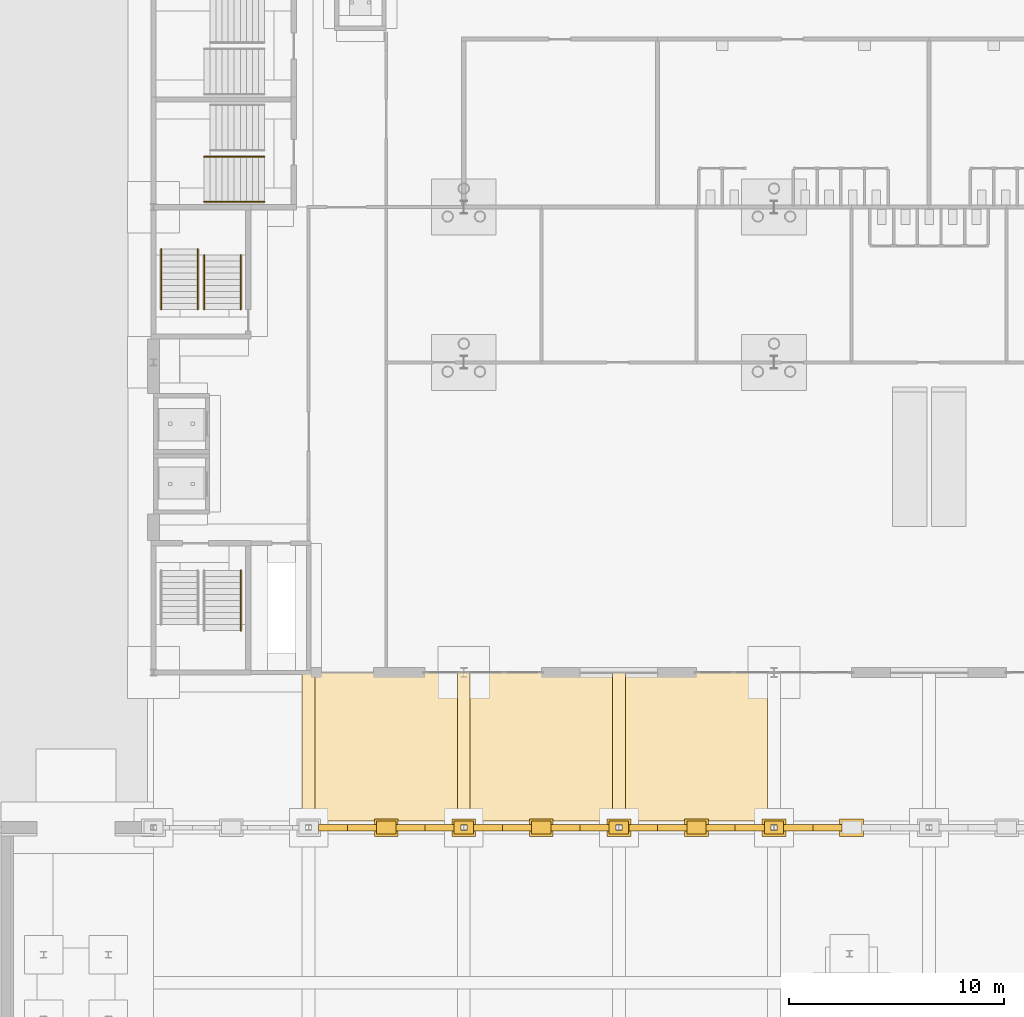
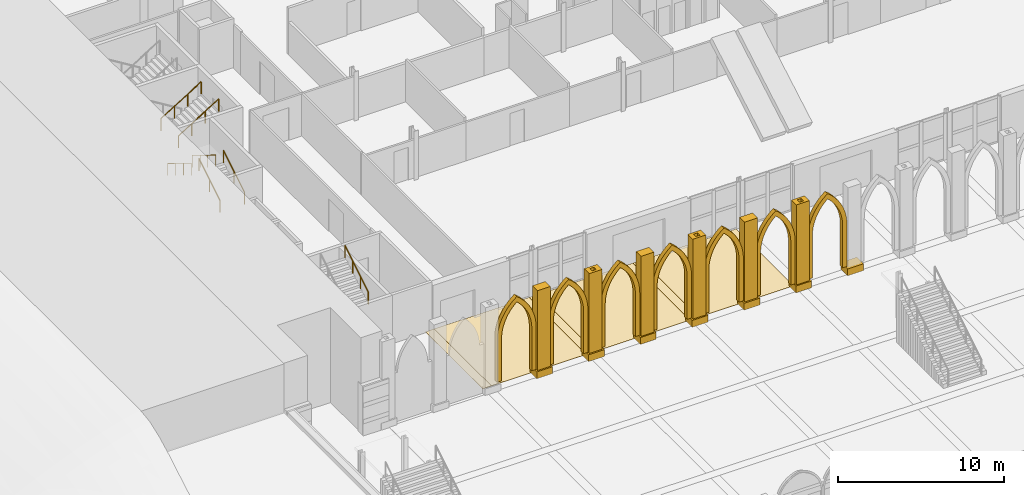
# One storey, part 118 of 148: 26 coverings, 7 railings.
"""IFC4 building model written with IfcOpenShell, lengths in metres."""

from ifc_helpers import new_model, si_unit, direction, frame, origin, origin_2d, place, context, subcontext, project, spatial, polyline, circle, outline, extrude, material, layer, layer_set, type_object, element, save


model = new_model("IFC4")

# Units and contexts
model_context = context("Model", 3, precision=1e-05, world=origin(), true_north=direction((0.0, 1.0)))
body_context = subcontext(model_context, "Body", "Model", "MODEL_VIEW")
ifc_project = project(units=[si_unit("LENGTHUNIT", "METRE"), si_unit("AREAUNIT", "SQUARE_METRE"), si_unit("VOLUMEUNIT", "CUBIC_METRE"), si_unit("PLANEANGLEUNIT", "RADIAN"), si_unit("MASSUNIT", "GRAM", prefix="KILO")], contexts=[model_context])

# Site, building, storey
site_placement = place(None, origin())
site = spatial("IfcSite", under=ifc_project, at=site_placement, CompositionType="ELEMENT")
building_placement = place(site_placement, origin())
building = spatial("IfcBuilding", under=site, at=building_placement, Name="Kupolbacken Congress Centre", CompositionType="ELEMENT")
storey_placement = place(building_placement, origin())
storey = spatial("IfcBuildingStorey", under=building, at=storey_placement, Name="L00", CompositionType="ELEMENT", Elevation=0.0)

# Coverings
ifc_material_1 = material(Name="Limestone cladding", Category="masonry")
ifc_layer_1 = layer(ifc_material_1, 0.60009765625)
ifc_layer_set_1 = layer_set([ifc_layer_1], Name="Limestone cladding")
covering_type_1 = type_object("IfcCoveringType", Name="CV5 limestone arcade pier 600", PredefinedType="CLADDING", material=ifc_layer_set_1)
covering_1_placement = place(storey_placement, origin())
element("IfcCovering", 1, at=covering_1_placement, inside=storey, type_object=covering_type_1, Name="F/arc/pier/018.0/base", PredefinedType="CLADDING", context=body_context, shape_type="SweptSolid", body=[
    extrude(outline(polyline([(17.449951171875, 21.199951171875), (18.550048828125, 21.199951171875), (18.550048828125, 22.0), (17.449951171875, 22.0), (17.449951171875, 21.199951171875)])), origin(), (0.0, 0.0, 1.0), 0.5),
])
covering_2_placement = place(storey_placement, frame((0.0, 0.0, 0.5)))
element("IfcCovering", 2, at=covering_2_placement, inside=storey, type_object=covering_type_1, Name="F/arc/pier/018.0/shaft", PredefinedType="CLADDING", context=body_context, shape_type="SweptSolid", body=[
    extrude(outline(polyline([(17.550048828125, 21.300048828125), (18.449951171875, 21.300048828125), (18.449951171875, 21.89990234375), (17.550048828125, 21.89990234375), (17.550048828125, 21.300048828125)])), origin(), (0.0, 0.0, 1.0), 5.8701171875),
])
covering_3_placement = place(storey_placement, origin())
element("IfcCovering", 3, at=covering_3_placement, inside=storey, type_object=covering_type_1, Name="F/arc/pier/021.6/base", PredefinedType="CLADDING", context=body_context, shape_type="SweptSolid", body=[
    extrude(outline(polyline([(21.050048828125, 21.199951171875), (22.14990234375, 21.199951171875), (22.14990234375, 22.0), (21.050048828125, 22.0), (21.050048828125, 21.199951171875)]), holes=[polyline([(21.4599609375, 21.4599609375), (21.739990234375, 21.4599609375), (21.739990234375, 21.739990234375), (21.4599609375, 21.739990234375), (21.4599609375, 21.4599609375)])]), origin(), (0.0, 0.0, 1.0), 0.5),
])
covering_4_placement = place(storey_placement, frame((0.0, 0.0, 0.5)))
element("IfcCovering", 4, at=covering_4_placement, inside=storey, type_object=covering_type_1, Name="F/arc/pier/021.6/shaft", PredefinedType="CLADDING", context=body_context, shape_type="SweptSolid", body=[
    extrude(outline(polyline([(21.14990234375, 21.300048828125), (22.050048828125, 21.300048828125), (22.050048828125, 21.89990234375), (21.14990234375, 21.89990234375), (21.14990234375, 21.300048828125)]), holes=[polyline([(21.4599609375, 21.4599609375), (21.739990234375, 21.4599609375), (21.739990234375, 21.739990234375), (21.4599609375, 21.739990234375), (21.4599609375, 21.4599609375)])]), origin(), (0.0, 0.0, 1.0), 5.8701171875),
])
covering_5_placement = place(storey_placement, origin())
element("IfcCovering", 5, at=covering_5_placement, inside=storey, type_object=covering_type_1, Name="F/arc/pier/025.2/base", PredefinedType="CLADDING", context=body_context, shape_type="SweptSolid", body=[
    extrude(outline(polyline([(24.64990234375, 21.199951171875), (25.75, 21.199951171875), (25.75, 22.0), (24.64990234375, 22.0), (24.64990234375, 21.199951171875)])), origin(), (0.0, 0.0, 1.0), 0.5),
])
covering_6_placement = place(storey_placement, frame((0.0, 0.0, 0.5)))
element("IfcCovering", 6, at=covering_6_placement, inside=storey, type_object=covering_type_1, Name="F/arc/pier/025.2/shaft", PredefinedType="CLADDING", context=body_context, shape_type="SweptSolid", body=[
    extrude(outline(polyline([(24.75, 21.300048828125), (25.64990234375, 21.300048828125), (25.64990234375, 21.89990234375), (24.75, 21.89990234375), (24.75, 21.300048828125)])), origin(), (0.0, 0.0, 1.0), 5.8701171875),
])
covering_7_placement = place(storey_placement, origin())
element("IfcCovering", 7, at=covering_7_placement, inside=storey, type_object=covering_type_1, Name="F/arc/pier/028.8/base", PredefinedType="CLADDING", context=body_context, shape_type="SweptSolid", body=[
    extrude(outline(polyline([(28.25, 21.199951171875), (29.35009765625, 21.199951171875), (29.35009765625, 22.0), (28.25, 22.0), (28.25, 21.199951171875)]), holes=[polyline([(28.659912109375, 21.4599609375), (28.93994140625, 21.4599609375), (28.93994140625, 21.739990234375), (28.659912109375, 21.739990234375), (28.659912109375, 21.4599609375)])]), origin(), (0.0, 0.0, 1.0), 0.5),
])
covering_8_placement = place(storey_placement, frame((0.0, 0.0, 0.5)))
element("IfcCovering", 8, at=covering_8_placement, inside=storey, type_object=covering_type_1, Name="F/arc/pier/028.8/shaft", PredefinedType="CLADDING", context=body_context, shape_type="SweptSolid", body=[
    extrude(outline(polyline([(28.35009765625, 21.300048828125), (29.25, 21.300048828125), (29.25, 21.89990234375), (28.35009765625, 21.89990234375), (28.35009765625, 21.300048828125)]), holes=[polyline([(28.659912109375, 21.4599609375), (28.93994140625, 21.4599609375), (28.93994140625, 21.739990234375), (28.659912109375, 21.739990234375), (28.659912109375, 21.4599609375)])]), origin(), (0.0, 0.0, 1.0), 5.8701171875),
])
covering_9_placement = place(storey_placement, origin())
element("IfcCovering", 9, at=covering_9_placement, inside=storey, type_object=covering_type_1, Name="F/arc/pier/032.4/base", PredefinedType="CLADDING", context=body_context, shape_type="SweptSolid", body=[
    extrude(outline(polyline([(31.85009765625, 21.199951171875), (32.949951171875, 21.199951171875), (32.949951171875, 22.0), (31.85009765625, 22.0), (31.85009765625, 21.199951171875)])), origin(), (0.0, 0.0, 1.0), 0.5),
])
covering_10_placement = place(storey_placement, frame((0.0, 0.0, 0.5)))
element("IfcCovering", 10, at=covering_10_placement, inside=storey, type_object=covering_type_1, Name="F/arc/pier/032.4/shaft", PredefinedType="CLADDING", context=body_context, shape_type="SweptSolid", body=[
    extrude(outline(polyline([(31.949951171875, 21.300048828125), (32.85009765625, 21.300048828125), (32.85009765625, 21.89990234375), (31.949951171875, 21.89990234375), (31.949951171875, 21.300048828125)])), origin(), (0.0, 0.0, 1.0), 5.8701171875),
])
covering_11_placement = place(storey_placement, origin())
element("IfcCovering", 11, at=covering_11_placement, inside=storey, type_object=covering_type_1, Name="F/arc/pier/036.0/base", PredefinedType="CLADDING", context=body_context, shape_type="SweptSolid", body=[
    extrude(outline(polyline([(35.449951171875, 21.199951171875), (36.550048828125, 21.199951171875), (36.550048828125, 22.0), (35.449951171875, 22.0), (35.449951171875, 21.199951171875)]), holes=[polyline([(35.860107421875, 21.4599609375), (36.139892578125, 21.4599609375), (36.139892578125, 21.739990234375), (35.860107421875, 21.739990234375), (35.860107421875, 21.4599609375)])]), origin(), (0.0, 0.0, 1.0), 0.5),
])
covering_12_placement = place(storey_placement, frame((0.0, 0.0, 0.5)))
element("IfcCovering", 12, at=covering_12_placement, inside=storey, type_object=covering_type_1, Name="F/arc/pier/036.0/shaft", PredefinedType="CLADDING", context=body_context, shape_type="SweptSolid", body=[
    extrude(outline(polyline([(35.550048828125, 21.300048828125), (36.449951171875, 21.300048828125), (36.449951171875, 21.89990234375), (35.550048828125, 21.89990234375), (35.550048828125, 21.300048828125)]), holes=[polyline([(35.860107421875, 21.4599609375), (36.139892578125, 21.4599609375), (36.139892578125, 21.739990234375), (35.860107421875, 21.739990234375), (35.860107421875, 21.4599609375)])]), origin(), (0.0, 0.0, 1.0), 5.8701171875),
])
covering_13_placement = place(storey_placement, origin())
element("IfcCovering", 13, at=covering_13_placement, inside=storey, type_object=covering_type_1, Name="F/arc/pier/039.6/base", PredefinedType="CLADDING", context=body_context, shape_type="SweptSolid", body=[
    extrude(outline(polyline([(39.050048828125, 21.199951171875), (40.14990234375, 21.199951171875), (40.14990234375, 22.0), (39.050048828125, 22.0), (39.050048828125, 21.199951171875)])), origin(), (0.0, 0.0, 1.0), 0.5),
])
ifc_material_2 = material(Name="Limestone cladding", Category="masonry")
ifc_layer_2 = layer(ifc_material_2, 0.300048828125)
ifc_layer_set_2 = layer_set([ifc_layer_2], Name="Limestone cladding")
covering_type_2 = type_object("IfcCoveringType", Name="CV6 limestone arcade arch frame 300", PredefinedType="CLADDING", material=ifc_layer_set_2)
covering_14_placement = place(storey_placement, frame((14.85009765625, 21.449951171875, 0.5), z_axis=(0.0, 1.0, 0.0), x_axis=(-1.0, 0.0, 0.0)))
element("IfcCovering", 14, at=covering_14_placement, inside=storey, type_object=covering_type_2, Name="F/arc/arch/014.4", PredefinedType="CLADDING", context=body_context, shape_type="SweptSolid", body=[
    extrude(outline(polyline([(0.0, 0.0), (0.0, 3.1201171875), (-0.00732421875, 3.343505859375), (-0.029541015625, 3.56591796875), (-0.06640625, 3.7861328125), (-0.117919921875, 4.00390625), (-0.183349609375, 4.21728515625), (-0.262939453125, 4.42626953125), (-0.356201171875, 4.62939453125), (-0.462890625, 4.82568359375), (-0.58203125, 5.014892578125), (-0.713623046875, 5.195556640625), (-0.85693359375, 5.3671875), (-1.010986328125, 5.52880859375), (-1.17578125, 5.68017578125), (-1.35009765625, 5.820068359375), (-1.5244140625, 5.68017578125), (-1.68896484375, 5.52880859375), (-1.843017578125, 5.3671875), (-1.986328125, 5.195556640625), (-2.117919921875, 5.014892578125), (-2.2373046875, 4.82568359375), (-2.34375, 4.62939453125), (-2.43701171875, 4.42626953125), (-2.5166015625, 4.21728515625), (-2.582275390625, 4.00390625), (-2.633544921875, 3.7861328125), (-2.67041015625, 3.56591796875), (-2.692626953125, 3.343505859375), (-2.699951171875, 3.1201171875), (-2.699951171875, 0.0), (-2.39990234375, 0.0), (-2.39990234375, 3.1201171875), (-2.394287109375, 3.306884765625), (-2.377197265625, 3.493408203125), (-2.348876953125, 3.67822265625), (-2.309326171875, 3.861083984375), (-2.2587890625, 4.041259765625), (-2.197265625, 4.218017578125), (-2.125244140625, 4.390625), (-2.042724609375, 4.55859375), (-1.9501953125, 4.72119140625), (-1.847900390625, 4.877685546875), (-1.736572265625, 5.028076171875), (-1.615966796875, 5.171142578125), (-1.487060546875, 5.306640625), (-1.35009765625, 5.43408203125), (-1.212890625, 5.306640625), (-1.083984375, 5.171142578125), (-0.96337890625, 5.028076171875), (-0.85205078125, 4.877685546875), (-0.749755859375, 4.72119140625), (-0.6572265625, 4.55859375), (-0.57470703125, 4.390625), (-0.502685546875, 4.218017578125), (-0.441162109375, 4.041259765625), (-0.390625, 3.861083984375), (-0.35107421875, 3.67822265625), (-0.32275390625, 3.493408203125), (-0.3056640625, 3.306884765625), (-0.300048828125, 3.1201171875), (-0.300048828125, 0.0), (0.0, 0.0)])), origin(), (0.0, 0.0, 1.0), 0.300048828125),
])
covering_15_placement = place(storey_placement, frame((18.449951171875, 21.449951171875, 0.5), z_axis=(0.0, 1.0, 0.0), x_axis=(-1.0, 0.0, 0.0)))
element("IfcCovering", 15, at=covering_15_placement, inside=storey, type_object=covering_type_2, Name="F/arc/arch/018.0", PredefinedType="CLADDING", context=body_context, shape_type="SweptSolid", body=[
    extrude(outline(polyline([(0.0, 0.0), (0.0, 3.1201171875), (-0.00732421875, 3.343505859375), (-0.029541015625, 3.56591796875), (-0.06640625, 3.7861328125), (-0.117919921875, 4.00390625), (-0.183349609375, 4.21728515625), (-0.262939453125, 4.42626953125), (-0.356201171875, 4.62939453125), (-0.462890625, 4.82568359375), (-0.58203125, 5.014892578125), (-0.713623046875, 5.195556640625), (-0.85693359375, 5.3671875), (-1.010986328125, 5.52880859375), (-1.17578125, 5.68017578125), (-1.35009765625, 5.820068359375), (-1.5244140625, 5.68017578125), (-1.68896484375, 5.52880859375), (-1.843017578125, 5.3671875), (-1.986328125, 5.195556640625), (-2.117919921875, 5.014892578125), (-2.2373046875, 4.82568359375), (-2.34375, 4.62939453125), (-2.43701171875, 4.42626953125), (-2.5166015625, 4.21728515625), (-2.582275390625, 4.00390625), (-2.633544921875, 3.7861328125), (-2.67041015625, 3.56591796875), (-2.692626953125, 3.343505859375), (-2.699951171875, 3.1201171875), (-2.699951171875, 0.0), (-2.39990234375, 0.0), (-2.39990234375, 3.1201171875), (-2.394287109375, 3.306884765625), (-2.377197265625, 3.493408203125), (-2.348876953125, 3.67822265625), (-2.309326171875, 3.861083984375), (-2.2587890625, 4.041259765625), (-2.197265625, 4.218017578125), (-2.125244140625, 4.390625), (-2.042724609375, 4.55859375), (-1.9501953125, 4.72119140625), (-1.847900390625, 4.877685546875), (-1.736572265625, 5.028076171875), (-1.615966796875, 5.171142578125), (-1.487060546875, 5.306640625), (-1.35009765625, 5.43408203125), (-1.212890625, 5.306640625), (-1.083984375, 5.171142578125), (-0.96337890625, 5.028076171875), (-0.85205078125, 4.877685546875), (-0.749755859375, 4.72119140625), (-0.6572265625, 4.55859375), (-0.57470703125, 4.390625), (-0.502685546875, 4.218017578125), (-0.441162109375, 4.041259765625), (-0.390625, 3.861083984375), (-0.35107421875, 3.67822265625), (-0.32275390625, 3.493408203125), (-0.3056640625, 3.306884765625), (-0.300048828125, 3.1201171875), (-0.300048828125, 0.0), (0.0, 0.0)])), origin(), (0.0, 0.0, 1.0), 0.300048828125),
])
covering_16_placement = place(storey_placement, frame((22.050048828125, 21.449951171875, 0.5), z_axis=(0.0, 1.0, 0.0), x_axis=(-1.0, 0.0, 0.0)))
element("IfcCovering", 16, at=covering_16_placement, inside=storey, type_object=covering_type_2, Name="F/arc/arch/021.6", PredefinedType="CLADDING", context=body_context, shape_type="SweptSolid", body=[
    extrude(outline(polyline([(0.0, 0.0), (0.0, 3.1201171875), (-0.00732421875, 3.343505859375), (-0.029541015625, 3.56591796875), (-0.06640625, 3.7861328125), (-0.117919921875, 4.00390625), (-0.183349609375, 4.21728515625), (-0.262939453125, 4.42626953125), (-0.356201171875, 4.62939453125), (-0.462890625, 4.82568359375), (-0.58203125, 5.014892578125), (-0.713623046875, 5.195556640625), (-0.85693359375, 5.3671875), (-1.010986328125, 5.52880859375), (-1.17578125, 5.68017578125), (-1.35009765625, 5.820068359375), (-1.5244140625, 5.68017578125), (-1.68896484375, 5.52880859375), (-1.843017578125, 5.3671875), (-1.986328125, 5.195556640625), (-2.117919921875, 5.014892578125), (-2.2373046875, 4.82568359375), (-2.34375, 4.62939453125), (-2.43701171875, 4.42626953125), (-2.5166015625, 4.21728515625), (-2.582275390625, 4.00390625), (-2.633544921875, 3.7861328125), (-2.67041015625, 3.56591796875), (-2.692626953125, 3.343505859375), (-2.699951171875, 3.1201171875), (-2.699951171875, 0.0), (-2.39990234375, 0.0), (-2.39990234375, 3.1201171875), (-2.394287109375, 3.306884765625), (-2.377197265625, 3.493408203125), (-2.348876953125, 3.67822265625), (-2.309326171875, 3.861083984375), (-2.2587890625, 4.041259765625), (-2.197265625, 4.218017578125), (-2.125244140625, 4.390625), (-2.042724609375, 4.55859375), (-1.9501953125, 4.72119140625), (-1.847900390625, 4.877685546875), (-1.736572265625, 5.028076171875), (-1.615966796875, 5.171142578125), (-1.487060546875, 5.306640625), (-1.35009765625, 5.43408203125), (-1.212890625, 5.306640625), (-1.083984375, 5.171142578125), (-0.96337890625, 5.028076171875), (-0.85205078125, 4.877685546875), (-0.749755859375, 4.72119140625), (-0.6572265625, 4.55859375), (-0.57470703125, 4.390625), (-0.502685546875, 4.218017578125), (-0.441162109375, 4.041259765625), (-0.390625, 3.861083984375), (-0.35107421875, 3.67822265625), (-0.32275390625, 3.493408203125), (-0.3056640625, 3.306884765625), (-0.300048828125, 3.1201171875), (-0.300048828125, 0.0), (0.0, 0.0)])), origin(), (0.0, 0.0, 1.0), 0.300048828125),
])
covering_17_placement = place(storey_placement, frame((25.64990234375, 21.449951171875, 0.5), z_axis=(0.0, 1.0, 0.0), x_axis=(-1.0, 0.0, 0.0)))
element("IfcCovering", 17, at=covering_17_placement, inside=storey, type_object=covering_type_2, Name="F/arc/arch/025.2", PredefinedType="CLADDING", context=body_context, shape_type="SweptSolid", body=[
    extrude(outline(polyline([(0.0, 0.0), (0.0, 3.1201171875), (-0.00732421875, 3.343505859375), (-0.029541015625, 3.56591796875), (-0.06640625, 3.7861328125), (-0.117919921875, 4.00390625), (-0.183349609375, 4.21728515625), (-0.262939453125, 4.42626953125), (-0.356201171875, 4.62939453125), (-0.462890625, 4.82568359375), (-0.58203125, 5.014892578125), (-0.713623046875, 5.195556640625), (-0.85693359375, 5.3671875), (-1.010986328125, 5.52880859375), (-1.17578125, 5.68017578125), (-1.35009765625, 5.820068359375), (-1.5244140625, 5.68017578125), (-1.68896484375, 5.52880859375), (-1.843017578125, 5.3671875), (-1.986328125, 5.195556640625), (-2.117919921875, 5.014892578125), (-2.2373046875, 4.82568359375), (-2.34375, 4.62939453125), (-2.43701171875, 4.42626953125), (-2.5166015625, 4.21728515625), (-2.582275390625, 4.00390625), (-2.633544921875, 3.7861328125), (-2.67041015625, 3.56591796875), (-2.692626953125, 3.343505859375), (-2.699951171875, 3.1201171875), (-2.699951171875, 0.0), (-2.39990234375, 0.0), (-2.39990234375, 3.1201171875), (-2.394287109375, 3.306884765625), (-2.377197265625, 3.493408203125), (-2.348876953125, 3.67822265625), (-2.309326171875, 3.861083984375), (-2.2587890625, 4.041259765625), (-2.197265625, 4.218017578125), (-2.125244140625, 4.390625), (-2.042724609375, 4.55859375), (-1.9501953125, 4.72119140625), (-1.847900390625, 4.877685546875), (-1.736572265625, 5.028076171875), (-1.615966796875, 5.171142578125), (-1.487060546875, 5.306640625), (-1.35009765625, 5.43408203125), (-1.212890625, 5.306640625), (-1.083984375, 5.171142578125), (-0.96337890625, 5.028076171875), (-0.85205078125, 4.877685546875), (-0.749755859375, 4.72119140625), (-0.6572265625, 4.55859375), (-0.57470703125, 4.390625), (-0.502685546875, 4.218017578125), (-0.441162109375, 4.041259765625), (-0.390625, 3.861083984375), (-0.35107421875, 3.67822265625), (-0.32275390625, 3.493408203125), (-0.3056640625, 3.306884765625), (-0.300048828125, 3.1201171875), (-0.300048828125, 0.0), (0.0, 0.0)])), origin(), (0.0, 0.0, 1.0), 0.300048828125),
])
covering_18_placement = place(storey_placement, frame((29.25, 21.449951171875, 0.5), z_axis=(0.0, 1.0, 0.0), x_axis=(-1.0, 0.0, 0.0)))
element("IfcCovering", 18, at=covering_18_placement, inside=storey, type_object=covering_type_2, Name="F/arc/arch/028.8", PredefinedType="CLADDING", context=body_context, shape_type="SweptSolid", body=[
    extrude(outline(polyline([(0.0, 0.0), (0.0, 3.1201171875), (-0.00732421875, 3.343505859375), (-0.029541015625, 3.56591796875), (-0.06640625, 3.7861328125), (-0.117919921875, 4.00390625), (-0.183349609375, 4.21728515625), (-0.262939453125, 4.42626953125), (-0.356201171875, 4.62939453125), (-0.462890625, 4.82568359375), (-0.58203125, 5.014892578125), (-0.713623046875, 5.195556640625), (-0.85693359375, 5.3671875), (-1.010986328125, 5.52880859375), (-1.17578125, 5.68017578125), (-1.35009765625, 5.820068359375), (-1.5244140625, 5.68017578125), (-1.68896484375, 5.52880859375), (-1.843017578125, 5.3671875), (-1.986328125, 5.195556640625), (-2.117919921875, 5.014892578125), (-2.2373046875, 4.82568359375), (-2.34375, 4.62939453125), (-2.43701171875, 4.42626953125), (-2.5166015625, 4.21728515625), (-2.582275390625, 4.00390625), (-2.633544921875, 3.7861328125), (-2.67041015625, 3.56591796875), (-2.692626953125, 3.343505859375), (-2.699951171875, 3.1201171875), (-2.699951171875, 0.0), (-2.39990234375, 0.0), (-2.39990234375, 3.1201171875), (-2.394287109375, 3.306884765625), (-2.377197265625, 3.493408203125), (-2.348876953125, 3.67822265625), (-2.309326171875, 3.861083984375), (-2.2587890625, 4.041259765625), (-2.197265625, 4.218017578125), (-2.125244140625, 4.390625), (-2.042724609375, 4.55859375), (-1.9501953125, 4.72119140625), (-1.847900390625, 4.877685546875), (-1.736572265625, 5.028076171875), (-1.615966796875, 5.171142578125), (-1.487060546875, 5.306640625), (-1.35009765625, 5.43408203125), (-1.212890625, 5.306640625), (-1.083984375, 5.171142578125), (-0.96337890625, 5.028076171875), (-0.85205078125, 4.877685546875), (-0.749755859375, 4.72119140625), (-0.6572265625, 4.55859375), (-0.57470703125, 4.390625), (-0.502685546875, 4.218017578125), (-0.441162109375, 4.041259765625), (-0.390625, 3.861083984375), (-0.35107421875, 3.67822265625), (-0.32275390625, 3.493408203125), (-0.3056640625, 3.306884765625), (-0.300048828125, 3.1201171875), (-0.300048828125, 0.0), (0.0, 0.0)])), origin(), (0.0, 0.0, 1.0), 0.300048828125),
])
covering_19_placement = place(storey_placement, frame((32.85009765625, 21.449951171875, 0.5), z_axis=(0.0, 1.0, 0.0), x_axis=(-1.0, 0.0, 0.0)))
element("IfcCovering", 19, at=covering_19_placement, inside=storey, type_object=covering_type_2, Name="F/arc/arch/032.4", PredefinedType="CLADDING", context=body_context, shape_type="SweptSolid", body=[
    extrude(outline(polyline([(0.0, 0.0), (0.0, 3.1201171875), (-0.00732421875, 3.343505859375), (-0.029541015625, 3.56591796875), (-0.06640625, 3.7861328125), (-0.117919921875, 4.00390625), (-0.183349609375, 4.21728515625), (-0.262939453125, 4.42626953125), (-0.356201171875, 4.62939453125), (-0.462890625, 4.82568359375), (-0.58203125, 5.014892578125), (-0.713623046875, 5.195556640625), (-0.85693359375, 5.3671875), (-1.010986328125, 5.52880859375), (-1.17578125, 5.68017578125), (-1.35009765625, 5.820068359375), (-1.5244140625, 5.68017578125), (-1.68896484375, 5.52880859375), (-1.843017578125, 5.3671875), (-1.986328125, 5.195556640625), (-2.117919921875, 5.014892578125), (-2.2373046875, 4.82568359375), (-2.34375, 4.62939453125), (-2.43701171875, 4.42626953125), (-2.5166015625, 4.21728515625), (-2.582275390625, 4.00390625), (-2.633544921875, 3.7861328125), (-2.67041015625, 3.56591796875), (-2.692626953125, 3.343505859375), (-2.699951171875, 3.1201171875), (-2.699951171875, 0.0), (-2.39990234375, 0.0), (-2.39990234375, 3.1201171875), (-2.394287109375, 3.306884765625), (-2.377197265625, 3.493408203125), (-2.348876953125, 3.67822265625), (-2.309326171875, 3.861083984375), (-2.2587890625, 4.041259765625), (-2.197265625, 4.218017578125), (-2.125244140625, 4.390625), (-2.042724609375, 4.55859375), (-1.9501953125, 4.72119140625), (-1.847900390625, 4.877685546875), (-1.736572265625, 5.028076171875), (-1.615966796875, 5.171142578125), (-1.487060546875, 5.306640625), (-1.35009765625, 5.43408203125), (-1.212890625, 5.306640625), (-1.083984375, 5.171142578125), (-0.96337890625, 5.028076171875), (-0.85205078125, 4.877685546875), (-0.749755859375, 4.72119140625), (-0.6572265625, 4.55859375), (-0.57470703125, 4.390625), (-0.502685546875, 4.218017578125), (-0.441162109375, 4.041259765625), (-0.390625, 3.861083984375), (-0.35107421875, 3.67822265625), (-0.32275390625, 3.493408203125), (-0.3056640625, 3.306884765625), (-0.300048828125, 3.1201171875), (-0.300048828125, 0.0), (0.0, 0.0)])), origin(), (0.0, 0.0, 1.0), 0.300048828125),
])
covering_20_placement = place(storey_placement, frame((36.449951171875, 21.449951171875, 0.5), z_axis=(0.0, 1.0, 0.0), x_axis=(-1.0, 0.0, 0.0)))
element("IfcCovering", 20, at=covering_20_placement, inside=storey, type_object=covering_type_2, Name="F/arc/arch/036.0", PredefinedType="CLADDING", context=body_context, shape_type="SweptSolid", body=[
    extrude(outline(polyline([(0.0, 0.0), (0.0, 3.1201171875), (-0.00732421875, 3.343505859375), (-0.029541015625, 3.56591796875), (-0.06640625, 3.7861328125), (-0.117919921875, 4.00390625), (-0.183349609375, 4.21728515625), (-0.262939453125, 4.42626953125), (-0.356201171875, 4.62939453125), (-0.462890625, 4.82568359375), (-0.58203125, 5.014892578125), (-0.713623046875, 5.195556640625), (-0.85693359375, 5.3671875), (-1.010986328125, 5.52880859375), (-1.17578125, 5.68017578125), (-1.35009765625, 5.820068359375), (-1.5244140625, 5.68017578125), (-1.68896484375, 5.52880859375), (-1.843017578125, 5.3671875), (-1.986328125, 5.195556640625), (-2.117919921875, 5.014892578125), (-2.2373046875, 4.82568359375), (-2.34375, 4.62939453125), (-2.43701171875, 4.42626953125), (-2.5166015625, 4.21728515625), (-2.582275390625, 4.00390625), (-2.633544921875, 3.7861328125), (-2.67041015625, 3.56591796875), (-2.692626953125, 3.343505859375), (-2.699951171875, 3.1201171875), (-2.699951171875, 0.0), (-2.39990234375, 0.0), (-2.39990234375, 3.1201171875), (-2.394287109375, 3.306884765625), (-2.377197265625, 3.493408203125), (-2.348876953125, 3.67822265625), (-2.309326171875, 3.861083984375), (-2.2587890625, 4.041259765625), (-2.197265625, 4.218017578125), (-2.125244140625, 4.390625), (-2.042724609375, 4.55859375), (-1.9501953125, 4.72119140625), (-1.847900390625, 4.877685546875), (-1.736572265625, 5.028076171875), (-1.615966796875, 5.171142578125), (-1.487060546875, 5.306640625), (-1.35009765625, 5.43408203125), (-1.212890625, 5.306640625), (-1.083984375, 5.171142578125), (-0.96337890625, 5.028076171875), (-0.85205078125, 4.877685546875), (-0.749755859375, 4.72119140625), (-0.6572265625, 4.55859375), (-0.57470703125, 4.390625), (-0.502685546875, 4.218017578125), (-0.441162109375, 4.041259765625), (-0.390625, 3.861083984375), (-0.35107421875, 3.67822265625), (-0.32275390625, 3.493408203125), (-0.3056640625, 3.306884765625), (-0.300048828125, 3.1201171875), (-0.300048828125, 0.0), (0.0, 0.0)])), origin(), (0.0, 0.0, 1.0), 0.300048828125),
])
ifc_material_3 = material(Name="Limestone cladding", Category="masonry")
ifc_layer_3 = layer(ifc_material_3, 0.02001953125)
ifc_layer_set_3 = layer_set([ifc_layer_3], Name="Limestone cladding")
covering_type_3 = type_object("IfcCoveringType", Name="GF1 limestone paving 20", PredefinedType="FLOORING", material=ifc_layer_set_3)
covering_21_placement = place(storey_placement, origin())
element("IfcCovering", 21, at=covering_21_placement, inside=storey, type_object=covering_type_3, Name="Court paving band", PredefinedType="FLOORING", context=body_context, shape_type="SweptSolid", body=[
    extrude(outline(polyline([(14.699951171875, 21.89990234375), (14.10009765625, 21.89990234375), (14.10009765625, 28.797607421875), (14.699951171875, 28.797607421875), (14.699951171875, 21.89990234375)])), origin(), (0.0, 0.0, 1.0), 0.02001953125),
])
covering_22_placement = place(storey_placement, origin())
element("IfcCovering", 22, at=covering_22_placement, inside=storey, type_object=covering_type_3, Name="Court paving band", PredefinedType="FLOORING", context=body_context, shape_type="SweptSolid", body=[
    extrude(outline(polyline([(21.89990234375, 21.89990234375), (21.300048828125, 21.89990234375), (21.300048828125, 28.797607421875), (21.89990234375, 28.797607421875), (21.89990234375, 21.89990234375)])), origin(), (0.0, 0.0, 1.0), 0.02001953125),
])
covering_23_placement = place(storey_placement, origin())
element("IfcCovering", 23, at=covering_23_placement, inside=storey, type_object=covering_type_3, Name="Court paving band", PredefinedType="FLOORING", context=body_context, shape_type="SweptSolid", body=[
    extrude(outline(polyline([(29.10009765625, 21.89990234375), (28.5, 21.89990234375), (28.5, 28.797607421875), (29.10009765625, 28.797607421875), (29.10009765625, 21.89990234375)])), origin(), (0.0, 0.0, 1.0), 0.02001953125),
])
ifc_material_4 = material(Name="Brick", Category="masonry")
ifc_layer_4 = layer(ifc_material_4, 0.02001953125)
ifc_layer_set_4 = layer_set([ifc_layer_4], Name="Brick")
covering_type_4 = type_object("IfcCoveringType", Name="GF2 brick paving 20", PredefinedType="FLOORING", material=ifc_layer_set_4)
covering_24_placement = place(storey_placement, origin())
element("IfcCovering", 24, at=covering_24_placement, inside=storey, type_object=covering_type_4, Name="Court brick paving", PredefinedType="FLOORING", context=body_context, shape_type="SweptSolid", body=[
    extrude(outline(polyline([(21.300048828125, 28.797607421875), (21.300048828125, 21.89990234375), (14.699951171875, 21.89990234375), (14.699951171875, 28.797607421875), (21.300048828125, 28.797607421875)])), origin(), (0.0, 0.0, 1.0), 0.02001953125),
])
covering_25_placement = place(storey_placement, origin())
element("IfcCovering", 25, at=covering_25_placement, inside=storey, type_object=covering_type_4, Name="Court brick paving", PredefinedType="FLOORING", context=body_context, shape_type="SweptSolid", body=[
    extrude(outline(polyline([(28.5, 28.797607421875), (28.5, 21.89990234375), (21.89990234375, 21.89990234375), (21.89990234375, 28.797607421875), (28.5, 28.797607421875)])), origin(), (0.0, 0.0, 1.0), 0.02001953125),
])
covering_26_placement = place(storey_placement, origin())
element("IfcCovering", 26, at=covering_26_placement, inside=storey, type_object=covering_type_4, Name="Court brick paving", PredefinedType="FLOORING", context=body_context, shape_type="SweptSolid", body=[
    extrude(outline(polyline([(35.699951171875, 28.797607421875), (35.699951171875, 21.89990234375), (29.10009765625, 21.89990234375), (29.10009765625, 28.797607421875), (35.699951171875, 28.797607421875)])), origin(), (0.0, 0.0, 1.0), 0.02001953125),
])

# Railings
ifc_material_5 = material(Name="Steel S235", Category="steel")
railing_type = type_object("IfcRailingType", Name="RL3 handrail wall-mounted 900", PredefinedType="HANDRAIL", material=ifc_material_5)
railing_placement = place(storey_placement, frame((11.25, 30.7451171875, 1.8857421875)))
element("IfcRailing", 27, at=railing_placement, inside=storey, type_object=railing_type, Name="C/stair/FS1W/L00/HR2R", PredefinedType="HANDRAIL", context=body_context, shape_type="SweptSolid", body=[
    extrude(circle(Radius=0.02392578125, at=origin_2d()), frame((0.0, 0.0, 0.8759765625), z_axis=(0.0, 0.852825620865, 0.522195806567), x_axis=(-1.0, 0.0, 0.0)), (0.0, 0.0, 1.0), 3.282958984375),
    extrude(circle(Radius=0.02099609375, at=origin_2d()), origin(), (0.0, 0.0, 1.0), 0.851806640625),
    extrude(circle(Radius=0.02099609375, at=origin_2d()), frame((0.0, 0.933349609375, 0.571533203125)), (0.0, 0.0, 1.0), 0.851806640625),
    extrude(circle(Radius=0.02099609375, at=origin_2d()), frame((0.0, 1.866455078125, 1.142822265625)), (0.0, 0.0, 1.0), 0.851806640625),
    extrude(circle(Radius=0.02099609375, at=origin_2d()), frame((0.0, 2.7998046875, 1.71435546875)), (0.0, 0.0, 1.0), 0.851806640625),
])
for number, where, name in (
    (28, (9.550048828125, 45.655029296875, 0.17138671875), "C/stair/FS2W/L00/HR1L"),
    (29, (11.25, 45.655029296875, 0.17138671875), "C/stair/FS2W/L00/HR1R"),
):
    element("IfcRailing", number, at=place(storey_placement, frame(where)), inside=storey, type_object=railing_type, Name=name, PredefinedType="HANDRAIL", context=body_context, shape_type="SweptSolid", body=[
        extrude(circle(Radius=0.02392578125, at=origin_2d()), frame((0.0, 0.0, 0.8759765625), z_axis=(0.0, 0.852836285881, 0.522178388565), x_axis=(-1.0, 0.0, 0.0)), (0.0, 0.0, 1.0), 2.954833984375),
        extrude(circle(Radius=0.02099609375, at=origin_2d()), origin(), (0.0, 0.0, 1.0), 0.851806640625),
        extrude(circle(Radius=0.02099609375, at=origin_2d()), frame((0.0, 1.260009765625, 0.771484375)), (0.0, 0.0, 1.0), 0.851806640625),
        extrude(circle(Radius=0.02099609375, at=origin_2d()), frame((0.0, 2.52001953125, 1.54296875)), (0.0, 0.0, 1.0), 0.851806640625),
    ])
for number, where, name in (
    (30, (9.25, 48.455078125, 1.8857421875), "C/stair/FS2W/L00/HR2L"),
    (31, (7.550048828125, 48.455078125, 1.8857421875), "C/stair/FS2W/L00/HR2R"),
):
    element("IfcRailing", number, at=place(storey_placement, frame(where)), inside=storey, type_object=railing_type, Name=name, PredefinedType="HANDRAIL", context=body_context, shape_type="SweptSolid", body=[
        extrude(circle(Radius=0.02392578125, at=origin_2d()), frame((0.0, 0.0, 0.8759765625), z_axis=(0.0, -0.852845897599, 0.522162690116), x_axis=(1.0, 0.0, 0.0)), (0.0, 0.0, 1.0), 3.283203125),
        extrude(circle(Radius=0.02099609375, at=origin_2d()), origin(), (0.0, 0.0, 1.0), 0.851806640625),
        extrude(circle(Radius=0.02099609375, at=origin_2d()), frame((0.0, -0.933349609375, 0.571533203125)), (0.0, 0.0, 1.0), 0.851806640625),
        extrude(circle(Radius=0.02099609375, at=origin_2d()), frame((0.0, -1.86669921875, 1.142822265625)), (0.0, 0.0, 1.0), 0.851806640625),
        extrude(circle(Radius=0.02099609375, at=origin_2d()), frame((0.0, -2.800048828125, 1.71435546875)), (0.0, 0.0, 1.0), 0.851806640625),
    ])
for number, where, name in (
    (32, (9.544921875, 52.75, 1.8857421875), "C/stair/PS1SW/L00/HR2L"),
    (33, (9.544921875, 50.64990234375, 1.8857421875), "C/stair/PS1SW/L00/HR2R"),
):
    element("IfcRailing", number, at=place(storey_placement, frame(where)), inside=storey, type_object=railing_type, Name=name, PredefinedType="HANDRAIL", context=body_context, shape_type="SweptSolid", body=[
        extrude(circle(Radius=0.02392578125, at=origin_2d()), frame((0.0, 0.0, 0.8759765625), z_axis=(0.852845897599, 0.0, 0.522162690116), x_axis=(0.0, 1.0, 0.0)), (0.0, 0.0, 1.0), 3.283203125),
        extrude(circle(Radius=0.02099609375, at=origin_2d()), origin(), (0.0, 0.0, 1.0), 0.851806640625),
        extrude(circle(Radius=0.02099609375, at=origin_2d()), frame((0.933349609375, 0.0, 0.571533203125)), (0.0, 0.0, 1.0), 0.851806640625),
        extrude(circle(Radius=0.02099609375, at=origin_2d()), frame((1.86669921875, 0.0, 1.142822265625)), (0.0, 0.0, 1.0), 0.851806640625),
        extrude(circle(Radius=0.02099609375, at=origin_2d()), frame((2.800048828125, 0.0, 1.71435546875)), (0.0, 0.0, 1.0), 0.851806640625),
    ])

save(model, "model.ifc")
